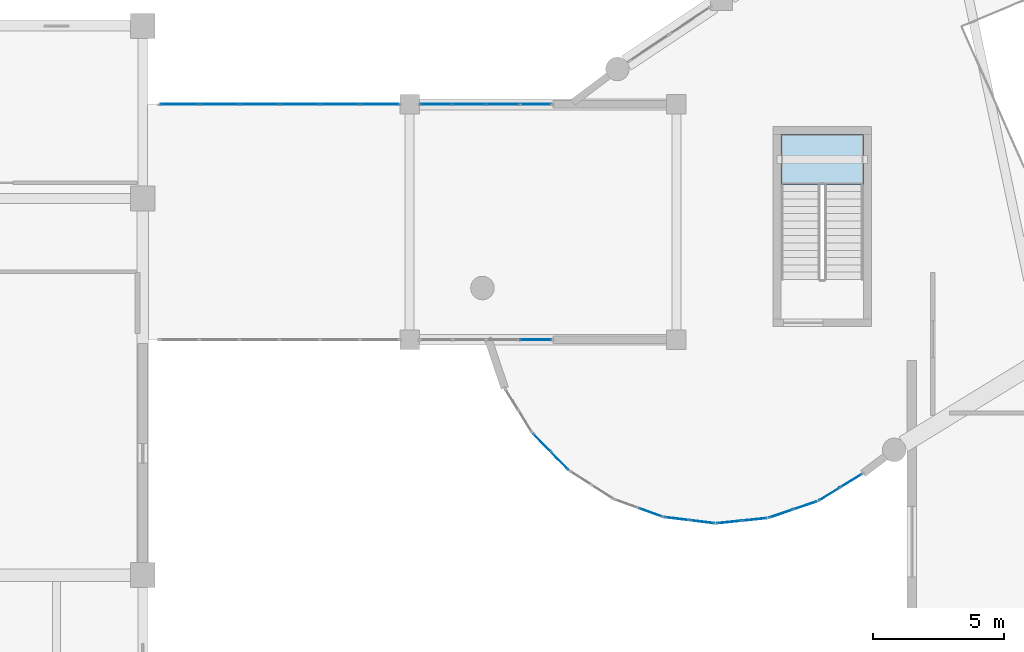
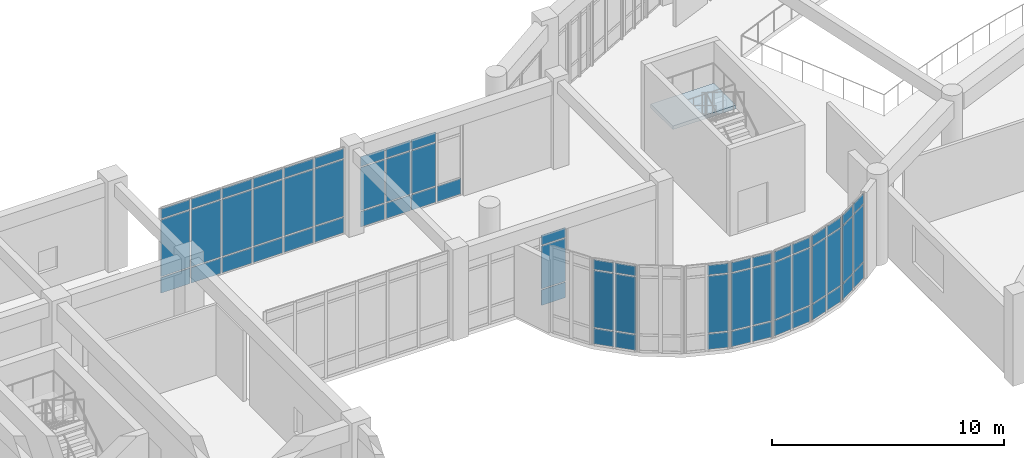
# One storey, part 39 of 68: 64 plates, 1 slab, 10 elements without a shape of their own.
"""IFC4 building model written with IfcOpenShell, lengths in metres."""

from ifc_helpers import new_model, si_unit, direction, frame, origin, origin_2d, place, context, subcontext, project, spatial, polyline, rectangle, outline, extrude, material, layer, layer_set, type_object, element, aggregate, save


model = new_model("IFC4")

# Units and contexts
model_context = context("Model", 3, precision=1e-05, world=origin(), true_north=direction((0.0, 1.0)))
body_context = subcontext(model_context, "Body", "Model", "MODEL_VIEW")
ifc_project = project(units=[si_unit("LENGTHUNIT", "METRE"), si_unit("AREAUNIT", "SQUARE_METRE"), si_unit("VOLUMEUNIT", "CUBIC_METRE"), si_unit("PLANEANGLEUNIT", "RADIAN"), si_unit("MASSUNIT", "GRAM", prefix="KILO")], contexts=[model_context])

# Site, building, storey
site_placement = place(None, origin())
site = spatial("IfcSite", under=ifc_project, at=site_placement, CompositionType="ELEMENT")
building_placement = place(site_placement, origin())
building = spatial("IfcBuilding", under=site, at=building_placement, Name="Miralva Faculty of Natural Sciences", CompositionType="ELEMENT")
storey_placement = place(building_placement, frame((0.0, 0.0, 5.39990234375)))
storey = spatial("IfcBuildingStorey", under=building, at=storey_placement, Name="L01", CompositionType="ELEMENT", Elevation=5.39990234375)

# Curtain wall, plates
ifc_material_1 = material(Name="Laminated solar-control glass", Category="glass")
ifc_layer_1 = layer(ifc_material_1, 0.179931640625, Name="CW-RND-L01")
ifc_layer_set_1 = layer_set([ifc_layer_1], Name="Laminated solar-control glass")
curtain_wall_type_1 = type_object("IfcCurtainWallType", Name="CW-RND-L01", PredefinedType="USERDEFINED", material=ifc_layer_set_1)
curtain_wall_1_placement = place(storey_placement, origin())
curtain_wall_1 = element("IfcCurtainWall", 1, at=curtain_wall_1_placement, inside=storey, type_object=curtain_wall_type_1, Name="Curtain wall CW-05 L01-47", ObjectType="UNITISED CURTAIN WALL", PredefinedType="USERDEFINED")
ifc_layer_2 = layer(ifc_material_1, 0.028076171875, Name="PNL-P01")
ifc_layer_set_2 = layer_set([ifc_layer_2], Name="Laminated solar-control glass")
plate_type = type_object("IfcPlateType", Name="PNL-P01", PredefinedType="CURTAIN_PANEL", material=ifc_layer_set_2)
plate_1_placement = place(storey_placement, frame((62.253662109375, 12.102294921875, 0.06005859375), z_axis=(0.0, 0.0, 1.0), x_axis=(0.851994617353, 0.523550543884, 0.0)))
plate_1 = element("IfcPlate", 2, at=plate_1_placement, type_object=plate_type, Name="CW-05 panel 1.1", PredefinedType="CURTAIN_PANEL", context=body_context, shape_type="SweptSolid", body=[
    extrude(rectangle(XDim=0.91259765625, YDim=0.028076171875, at=origin_2d()), origin(), (0.0, 0.0, 1.0), 0.81005859375),
])
plate_2_placement = place(storey_placement, frame((62.253662109375, 12.102294921875, 0.93017578125), z_axis=(0.0, 0.0, 1.0), x_axis=(0.851994617353, 0.523550543884, 0.0)))
plate_2 = element("IfcPlate", 3, at=plate_2_placement, type_object=plate_type, Name="CW-05 panel 1.2", PredefinedType="CURTAIN_PANEL", context=body_context, shape_type="SweptSolid", body=[
    extrude(rectangle(XDim=0.91259765625, YDim=0.028076171875, at=origin_2d()), origin(), (0.0, 0.0, 1.0), 2.989990234375),
])
plate_3_placement = place(storey_placement, frame((62.253662109375, 12.102294921875, 3.97998046875), z_axis=(0.0, 0.0, 1.0), x_axis=(0.851994617353, 0.523550543884, 0.0)))
plate_3 = element("IfcPlate", 4, at=plate_3_placement, type_object=plate_type, Name="CW-05 panel 1.3", PredefinedType="CURTAIN_PANEL", context=body_context, shape_type="SweptSolid", body=[
    extrude(rectangle(XDim=0.91259765625, YDim=0.028076171875, at=origin_2d()), origin(), (0.0, 0.0, 1.0), 0.510009765625),
])
plate_4_placement = place(storey_placement, frame((63.086669921875, 12.6142578125, 0.06005859375), z_axis=(0.0, 0.0, 1.0), x_axis=(0.851994617353, 0.523550543884, 0.0)))
plate_4 = element("IfcPlate", 5, at=plate_4_placement, type_object=plate_type, Name="CW-05 panel 2.1", PredefinedType="CURTAIN_PANEL", context=body_context, shape_type="SweptSolid", body=[
    extrude(rectangle(XDim=0.91259765625, YDim=0.028076171875, at=origin_2d()), origin(), (0.0, 0.0, 1.0), 0.81005859375),
])
plate_5_placement = place(storey_placement, frame((63.086669921875, 12.6142578125, 0.93017578125), z_axis=(0.0, 0.0, 1.0), x_axis=(0.851994617353, 0.523550543884, 0.0)))
plate_5 = element("IfcPlate", 6, at=plate_5_placement, type_object=plate_type, Name="CW-05 panel 2.2", PredefinedType="CURTAIN_PANEL", context=body_context, shape_type="SweptSolid", body=[
    extrude(rectangle(XDim=0.91259765625, YDim=0.028076171875, at=origin_2d()), origin(), (0.0, 0.0, 1.0), 2.989990234375),
])
plate_6_placement = place(storey_placement, frame((63.086669921875, 12.6142578125, 3.97998046875), z_axis=(0.0, 0.0, 1.0), x_axis=(0.851994617353, 0.523550543884, 0.0)))
plate_6 = element("IfcPlate", 7, at=plate_6_placement, type_object=plate_type, Name="CW-05 panel 2.3", PredefinedType="CURTAIN_PANEL", context=body_context, shape_type="SweptSolid", body=[
    extrude(rectangle(XDim=0.91259765625, YDim=0.028076171875, at=origin_2d()), origin(), (0.0, 0.0, 1.0), 0.510009765625),
])
aggregate(curtain_wall_1, [plate_1, plate_2, plate_3, plate_4, plate_5, plate_6])

curtain_wall_2_placement = place(storey_placement, origin())
curtain_wall_2 = element("IfcCurtainWall", 8, at=curtain_wall_2_placement, inside=storey, type_object=curtain_wall_type_1, Name="Curtain wall CW-05 L01-48", ObjectType="UNITISED CURTAIN WALL", PredefinedType="USERDEFINED")
plate_7_placement = place(storey_placement, frame((60.39453125, 11.349853515625, 0.06005859375), z_axis=(0.0, 0.0, 1.0), x_axis=(0.947132688672, 0.320842126361, 0.0)))
plate_7 = element("IfcPlate", 9, at=plate_7_placement, type_object=plate_type, Name="CW-05 panel 1.1", PredefinedType="CURTAIN_PANEL", context=body_context, shape_type="SweptSolid", body=[
    extrude(rectangle(XDim=0.91259765625, YDim=0.028076171875, at=origin_2d()), origin(), (0.0, 0.0, 1.0), 0.81005859375),
])
plate_8_placement = place(storey_placement, frame((60.39453125, 11.349853515625, 0.93017578125), z_axis=(0.0, 0.0, 1.0), x_axis=(0.947132688672, 0.320842126361, 0.0)))
plate_8 = element("IfcPlate", 10, at=plate_8_placement, type_object=plate_type, Name="CW-05 panel 1.2", PredefinedType="CURTAIN_PANEL", context=body_context, shape_type="SweptSolid", body=[
    extrude(rectangle(XDim=0.91259765625, YDim=0.028076171875, at=origin_2d()), origin(), (0.0, 0.0, 1.0), 2.989990234375),
])
plate_9_placement = place(storey_placement, frame((60.39453125, 11.349853515625, 3.97998046875), z_axis=(0.0, 0.0, 1.0), x_axis=(0.947132688672, 0.320842126361, 0.0)))
plate_9 = element("IfcPlate", 11, at=plate_9_placement, type_object=plate_type, Name="CW-05 panel 1.3", PredefinedType="CURTAIN_PANEL", context=body_context, shape_type="SweptSolid", body=[
    extrude(rectangle(XDim=0.91259765625, YDim=0.028076171875, at=origin_2d()), origin(), (0.0, 0.0, 1.0), 0.510009765625),
])
plate_10_placement = place(storey_placement, frame((61.3203125, 11.66357421875, 0.06005859375), z_axis=(0.0, 0.0, 1.0), x_axis=(0.947132688672, 0.320842126361, 0.0)))
plate_10 = element("IfcPlate", 12, at=plate_10_placement, type_object=plate_type, Name="CW-05 panel 2.1", PredefinedType="CURTAIN_PANEL", context=body_context, shape_type="SweptSolid", body=[
    extrude(rectangle(XDim=0.91259765625, YDim=0.028076171875, at=origin_2d()), origin(), (0.0, 0.0, 1.0), 0.81005859375),
])
plate_11_placement = place(storey_placement, frame((61.3203125, 11.66357421875, 0.93017578125), z_axis=(0.0, 0.0, 1.0), x_axis=(0.947132688672, 0.320842126361, 0.0)))
plate_11 = element("IfcPlate", 13, at=plate_11_placement, type_object=plate_type, Name="CW-05 panel 2.2", PredefinedType="CURTAIN_PANEL", context=body_context, shape_type="SweptSolid", body=[
    extrude(rectangle(XDim=0.91259765625, YDim=0.028076171875, at=origin_2d()), origin(), (0.0, 0.0, 1.0), 2.989990234375),
])
plate_12_placement = place(storey_placement, frame((61.3203125, 11.66357421875, 3.97998046875), z_axis=(0.0, 0.0, 1.0), x_axis=(0.947132688672, 0.320842126361, 0.0)))
plate_12 = element("IfcPlate", 14, at=plate_12_placement, type_object=plate_type, Name="CW-05 panel 2.3", PredefinedType="CURTAIN_PANEL", context=body_context, shape_type="SweptSolid", body=[
    extrude(rectangle(XDim=0.91259765625, YDim=0.028076171875, at=origin_2d()), origin(), (0.0, 0.0, 1.0), 0.510009765625),
])
aggregate(curtain_wall_2, [plate_7, plate_8, plate_9, plate_10, plate_11, plate_12])

curtain_wall_3_placement = place(storey_placement, origin())
curtain_wall_3 = element("IfcCurtainWall", 15, at=curtain_wall_3_placement, inside=storey, type_object=curtain_wall_type_1, Name="Curtain wall CW-05 L01-49", ObjectType="UNITISED CURTAIN WALL", PredefinedType="USERDEFINED")
plate_13_placement = place(storey_placement, frame((58.41455078125, 11.0302734375, 0.06005859375), z_axis=(0.0, 0.0, 1.0), x_axis=(0.994778604482, 0.102056494477, 0.0)))
plate_13 = element("IfcPlate", 16, at=plate_13_placement, type_object=plate_type, Name="CW-05 panel 1.1", PredefinedType="CURTAIN_PANEL", context=body_context, shape_type="SweptSolid", body=[
    extrude(rectangle(XDim=0.912841796875, YDim=0.028076171875, at=origin_2d()), origin(), (0.0, 0.0, 1.0), 0.81005859375),
])
plate_14_placement = place(storey_placement, frame((58.41455078125, 11.0302734375, 0.93017578125), z_axis=(0.0, 0.0, 1.0), x_axis=(0.994778604482, 0.102056494477, 0.0)))
plate_14 = element("IfcPlate", 17, at=plate_14_placement, type_object=plate_type, Name="CW-05 panel 1.2", PredefinedType="CURTAIN_PANEL", context=body_context, shape_type="SweptSolid", body=[
    extrude(rectangle(XDim=0.912841796875, YDim=0.028076171875, at=origin_2d()), origin(), (0.0, 0.0, 1.0), 2.989990234375),
])
plate_15_placement = place(storey_placement, frame((58.41455078125, 11.0302734375, 3.97998046875), z_axis=(0.0, 0.0, 1.0), x_axis=(0.994778604482, 0.102056494477, 0.0)))
plate_15 = element("IfcPlate", 18, at=plate_15_placement, type_object=plate_type, Name="CW-05 panel 1.3", PredefinedType="CURTAIN_PANEL", context=body_context, shape_type="SweptSolid", body=[
    extrude(rectangle(XDim=0.912841796875, YDim=0.028076171875, at=origin_2d()), origin(), (0.0, 0.0, 1.0), 0.510009765625),
])
plate_16_placement = place(storey_placement, frame((59.386962890625, 11.1298828125, 0.06005859375), z_axis=(0.0, 0.0, 1.0), x_axis=(0.994778604482, 0.102056494477, 0.0)))
plate_16 = element("IfcPlate", 19, at=plate_16_placement, type_object=plate_type, Name="CW-05 panel 2.1", PredefinedType="CURTAIN_PANEL", context=body_context, shape_type="SweptSolid", body=[
    extrude(rectangle(XDim=0.912841796875, YDim=0.028076171875, at=origin_2d()), origin(), (0.0, 0.0, 1.0), 0.81005859375),
])
plate_17_placement = place(storey_placement, frame((59.386962890625, 11.1298828125, 0.93017578125), z_axis=(0.0, 0.0, 1.0), x_axis=(0.994778604482, 0.102056494477, 0.0)))
plate_17 = element("IfcPlate", 20, at=plate_17_placement, type_object=plate_type, Name="CW-05 panel 2.2", PredefinedType="CURTAIN_PANEL", context=body_context, shape_type="SweptSolid", body=[
    extrude(rectangle(XDim=0.912841796875, YDim=0.028076171875, at=origin_2d()), origin(), (0.0, 0.0, 1.0), 2.989990234375),
])
plate_18_placement = place(storey_placement, frame((59.386962890625, 11.1298828125, 3.97998046875), z_axis=(0.0, 0.0, 1.0), x_axis=(0.994778604482, 0.102056494477, 0.0)))
plate_18 = element("IfcPlate", 21, at=plate_18_placement, type_object=plate_type, Name="CW-05 panel 2.3", PredefinedType="CURTAIN_PANEL", context=body_context, shape_type="SweptSolid", body=[
    extrude(rectangle(XDim=0.912841796875, YDim=0.028076171875, at=origin_2d()), origin(), (0.0, 0.0, 1.0), 0.510009765625),
])
aggregate(curtain_wall_3, [plate_13, plate_14, plate_15, plate_16, plate_17, plate_18])

curtain_wall_4_placement = place(storey_placement, origin())
curtain_wall_4 = element("IfcCurtainWall", 22, at=curtain_wall_4_placement, inside=storey, type_object=curtain_wall_type_1, Name="Curtain wall CW-05 L01-50", ObjectType="UNITISED CURTAIN WALL", PredefinedType="USERDEFINED")
plate_19_placement = place(storey_placement, frame((56.412841796875, 11.1591796875, 0.06005859375), z_axis=(0.0, 0.0, 1.0), x_axis=(0.99254734183, -0.121859649701, 0.0)))
plate_19 = element("IfcPlate", 23, at=plate_19_placement, type_object=plate_type, Name="CW-05 panel 1.1", PredefinedType="CURTAIN_PANEL", context=body_context, shape_type="SweptSolid", body=[
    extrude(rectangle(XDim=0.91259765625, YDim=0.028076171875, at=origin_2d()), origin(), (0.0, 0.0, 1.0), 0.81005859375),
])
plate_20_placement = place(storey_placement, frame((56.412841796875, 11.1591796875, 0.93017578125), z_axis=(0.0, 0.0, 1.0), x_axis=(0.99254734183, -0.121859649701, 0.0)))
plate_20 = element("IfcPlate", 24, at=plate_20_placement, type_object=plate_type, Name="CW-05 panel 1.2", PredefinedType="CURTAIN_PANEL", context=body_context, shape_type="SweptSolid", body=[
    extrude(rectangle(XDim=0.91259765625, YDim=0.028076171875, at=origin_2d()), origin(), (0.0, 0.0, 1.0), 2.989990234375),
])
plate_21_placement = place(storey_placement, frame((56.412841796875, 11.1591796875, 3.97998046875), z_axis=(0.0, 0.0, 1.0), x_axis=(0.99254734183, -0.121859649701, 0.0)))
plate_21 = element("IfcPlate", 25, at=plate_21_placement, type_object=plate_type, Name="CW-05 panel 1.3", PredefinedType="CURTAIN_PANEL", context=body_context, shape_type="SweptSolid", body=[
    extrude(rectangle(XDim=0.91259765625, YDim=0.028076171875, at=origin_2d()), origin(), (0.0, 0.0, 1.0), 0.510009765625),
])
plate_22_placement = place(storey_placement, frame((57.38330078125, 11.0400390625, 0.06005859375), z_axis=(0.0, 0.0, 1.0), x_axis=(0.99254734183, -0.121859649701, 0.0)))
plate_22 = element("IfcPlate", 26, at=plate_22_placement, type_object=plate_type, Name="CW-05 panel 2.1", PredefinedType="CURTAIN_PANEL", context=body_context, shape_type="SweptSolid", body=[
    extrude(rectangle(XDim=0.91259765625, YDim=0.028076171875, at=origin_2d()), origin(), (0.0, 0.0, 1.0), 0.81005859375),
])
plate_23_placement = place(storey_placement, frame((57.38330078125, 11.0400390625, 0.93017578125), z_axis=(0.0, 0.0, 1.0), x_axis=(0.99254734183, -0.121859649701, 0.0)))
plate_23 = element("IfcPlate", 27, at=plate_23_placement, type_object=plate_type, Name="CW-05 panel 2.2", PredefinedType="CURTAIN_PANEL", context=body_context, shape_type="SweptSolid", body=[
    extrude(rectangle(XDim=0.91259765625, YDim=0.028076171875, at=origin_2d()), origin(), (0.0, 0.0, 1.0), 2.989990234375),
])
plate_24_placement = place(storey_placement, frame((57.38330078125, 11.0400390625, 3.97998046875), z_axis=(0.0, 0.0, 1.0), x_axis=(0.99254734183, -0.121859649701, 0.0)))
plate_24 = element("IfcPlate", 28, at=plate_24_placement, type_object=plate_type, Name="CW-05 panel 2.3", PredefinedType="CURTAIN_PANEL", context=body_context, shape_type="SweptSolid", body=[
    extrude(rectangle(XDim=0.91259765625, YDim=0.028076171875, at=origin_2d()), origin(), (0.0, 0.0, 1.0), 0.510009765625),
])
aggregate(curtain_wall_4, [plate_19, plate_20, plate_21, plate_22, plate_23, plate_24])

curtain_wall_5_placement = place(storey_placement, origin())
curtain_wall_5 = element("IfcCurtainWall", 29, at=curtain_wall_5_placement, inside=storey, type_object=curtain_wall_type_1, Name="Curtain wall CW-05 L01-51", ObjectType="UNITISED CURTAIN WALL", PredefinedType="USERDEFINED")
plate_25_placement = place(storey_placement, frame((55.409912109375, 11.39794921875, 0.06005859375), z_axis=(0.0, 0.0, 1.0), x_axis=(0.940535451088, -0.339695547876, 0.0)))
plate_25 = element("IfcPlate", 30, at=plate_25_placement, type_object=plate_type, Name="CW-05 panel 2.1", PredefinedType="CURTAIN_PANEL", context=body_context, shape_type="SweptSolid", body=[
    extrude(rectangle(XDim=0.91259765625, YDim=0.028076171875, at=origin_2d()), origin(), (0.0, 0.0, 1.0), 0.81005859375),
])
plate_26_placement = place(storey_placement, frame((55.409912109375, 11.39794921875, 0.93017578125), z_axis=(0.0, 0.0, 1.0), x_axis=(0.940535451088, -0.339695547876, 0.0)))
plate_26 = element("IfcPlate", 31, at=plate_26_placement, type_object=plate_type, Name="CW-05 panel 2.2", PredefinedType="CURTAIN_PANEL", context=body_context, shape_type="SweptSolid", body=[
    extrude(rectangle(XDim=0.91259765625, YDim=0.028076171875, at=origin_2d()), origin(), (0.0, 0.0, 1.0), 2.989990234375),
])
plate_27_placement = place(storey_placement, frame((55.409912109375, 11.39794921875, 3.97998046875), z_axis=(0.0, 0.0, 1.0), x_axis=(0.940535451088, -0.339695547876, 0.0)))
plate_27 = element("IfcPlate", 32, at=plate_27_placement, type_object=plate_type, Name="CW-05 panel 2.3", PredefinedType="CURTAIN_PANEL", context=body_context, shape_type="SweptSolid", body=[
    extrude(rectangle(XDim=0.91259765625, YDim=0.028076171875, at=origin_2d()), origin(), (0.0, 0.0, 1.0), 0.510009765625),
])
aggregate(curtain_wall_5, [plate_25, plate_26, plate_27])

curtain_wall_6_placement = place(storey_placement, origin())
curtain_wall_6 = element("IfcCurtainWall", 33, at=curtain_wall_6_placement, inside=storey, type_object=curtain_wall_type_1, Name="Curtain wall CW-05 L01-53", ObjectType="UNITISED CURTAIN WALL", PredefinedType="USERDEFINED")
plate_28_placement = place(storey_placement, frame((51.258544921875, 14.063232421875, 0.06005859375), z_axis=(0.0, 0.0, 1.0), x_axis=(0.700018458929, -0.714124749017, 0.0)))
plate_28 = element("IfcPlate", 34, at=plate_28_placement, type_object=plate_type, Name="CW-05 panel 1.1", PredefinedType="CURTAIN_PANEL", context=body_context, shape_type="SweptSolid", body=[
    extrude(rectangle(XDim=0.91259765625, YDim=0.028076171875, at=origin_2d()), origin(), (0.0, 0.0, 1.0), 0.81005859375),
])
plate_29_placement = place(storey_placement, frame((51.258544921875, 14.063232421875, 0.93017578125), z_axis=(0.0, 0.0, 1.0), x_axis=(0.700018458929, -0.714124749017, 0.0)))
plate_29 = element("IfcPlate", 35, at=plate_29_placement, type_object=plate_type, Name="CW-05 panel 1.2", PredefinedType="CURTAIN_PANEL", context=body_context, shape_type="SweptSolid", body=[
    extrude(rectangle(XDim=0.91259765625, YDim=0.028076171875, at=origin_2d()), origin(), (0.0, 0.0, 1.0), 2.989990234375),
])
plate_30_placement = place(storey_placement, frame((51.258544921875, 14.063232421875, 3.97998046875), z_axis=(0.0, 0.0, 1.0), x_axis=(0.700018458929, -0.714124749017, 0.0)))
plate_30 = element("IfcPlate", 36, at=plate_30_placement, type_object=plate_type, Name="CW-05 panel 1.3", PredefinedType="CURTAIN_PANEL", context=body_context, shape_type="SweptSolid", body=[
    extrude(rectangle(XDim=0.91259765625, YDim=0.028076171875, at=origin_2d()), origin(), (0.0, 0.0, 1.0), 0.510009765625),
])
plate_31_placement = place(storey_placement, frame((51.94287109375, 13.364990234375, 0.06005859375), z_axis=(0.0, 0.0, 1.0), x_axis=(0.700018458929, -0.714124749017, 0.0)))
plate_31 = element("IfcPlate", 37, at=plate_31_placement, type_object=plate_type, Name="CW-05 panel 2.1", PredefinedType="CURTAIN_PANEL", context=body_context, shape_type="SweptSolid", body=[
    extrude(rectangle(XDim=0.91259765625, YDim=0.028076171875, at=origin_2d()), origin(), (0.0, 0.0, 1.0), 0.81005859375),
])
plate_32_placement = place(storey_placement, frame((51.94287109375, 13.364990234375, 0.93017578125), z_axis=(0.0, 0.0, 1.0), x_axis=(0.700018458929, -0.714124749017, 0.0)))
plate_32 = element("IfcPlate", 38, at=plate_32_placement, type_object=plate_type, Name="CW-05 panel 2.2", PredefinedType="CURTAIN_PANEL", context=body_context, shape_type="SweptSolid", body=[
    extrude(rectangle(XDim=0.91259765625, YDim=0.028076171875, at=origin_2d()), origin(), (0.0, 0.0, 1.0), 2.989990234375),
])
plate_33_placement = place(storey_placement, frame((51.94287109375, 13.364990234375, 3.97998046875), z_axis=(0.0, 0.0, 1.0), x_axis=(0.700018458929, -0.714124749017, 0.0)))
plate_33 = element("IfcPlate", 39, at=plate_33_placement, type_object=plate_type, Name="CW-05 panel 2.3", PredefinedType="CURTAIN_PANEL", context=body_context, shape_type="SweptSolid", body=[
    extrude(rectangle(XDim=0.91259765625, YDim=0.028076171875, at=origin_2d()), origin(), (0.0, 0.0, 1.0), 0.510009765625),
])
aggregate(curtain_wall_6, [plate_28, plate_29, plate_30, plate_31, plate_32, plate_33])

ifc_layer_3 = layer(ifc_material_1, 0.179931640625, Name="CW-COM-L01")
ifc_layer_set_3 = layer_set([ifc_layer_3], Name="Laminated solar-control glass")
curtain_wall_type_2 = type_object("IfcCurtainWallType", Name="CW-COM-L01", PredefinedType="USERDEFINED", material=ifc_layer_set_3)
curtain_wall_7_placement = place(storey_placement, origin())
curtain_wall_7 = element("IfcCurtainWall", 40, at=curtain_wall_7_placement, inside=storey, type_object=curtain_wall_type_2, Name="Curtain wall CW-10 L01-289", ObjectType="UNITISED CURTAIN WALL", PredefinedType="USERDEFINED")
plate_34_placement = place(storey_placement, frame((51.025634765625, 18.0, 0.06005859375), z_axis=(0.0, 0.0, 1.0), x_axis=(1.0, 0.0, 0.0)))
plate_34 = element("IfcPlate", 41, at=plate_34_placement, type_object=plate_type, Name="CW-10 panel 4.1", PredefinedType="CURTAIN_PANEL", context=body_context, shape_type="SweptSolid", body=[
    extrude(rectangle(XDim=1.188720703125, YDim=0.028076171875, at=origin_2d()), origin(), (0.0, 0.0, 1.0), 0.81005859375),
])
plate_35_placement = place(storey_placement, frame((51.025634765625, 18.0, 0.929931640625), z_axis=(0.0, 0.0, 1.0), x_axis=(1.0, 0.0, 0.0)))
plate_35 = element("IfcPlate", 42, at=plate_35_placement, type_object=plate_type, Name="CW-10 panel 4.2", PredefinedType="CURTAIN_PANEL", context=body_context, shape_type="SweptSolid", body=[
    extrude(rectangle(XDim=1.188720703125, YDim=0.028076171875, at=origin_2d()), origin(), (0.0, 0.0, 1.0), 2.2451171875),
])
plate_36_placement = place(storey_placement, frame((51.025634765625, 18.0, 3.23486328125), z_axis=(0.0, 0.0, 1.0), x_axis=(1.0, 0.0, 0.0)))
plate_36 = element("IfcPlate", 43, at=plate_36_placement, type_object=plate_type, Name="CW-10 panel 4.3", PredefinedType="CURTAIN_PANEL", context=body_context, shape_type="SweptSolid", body=[
    extrude(rectangle(XDim=1.188720703125, YDim=0.028076171875, at=origin_2d()), origin(), (0.0, 0.0, 1.0), 0.510009765625),
])
aggregate(curtain_wall_7, [plate_34, plate_35, plate_36])

curtain_wall_8_placement = place(storey_placement, origin())
curtain_wall_8 = element("IfcCurtainWall", 44, at=curtain_wall_8_placement, inside=storey, type_object=curtain_wall_type_2, Name="Curtain wall CW-10 L01-291", ObjectType="UNITISED CURTAIN WALL", PredefinedType="USERDEFINED")
plate_37_placement = place(storey_placement, frame((37.40380859375, 27.0, 0.06005859375), z_axis=(0.0, 0.0, 1.0), x_axis=(1.0, 0.0, 0.0)))
plate_37 = element("IfcPlate", 45, at=plate_37_placement, type_object=plate_type, Name="CW-10 panel 1.1", PredefinedType="CURTAIN_PANEL", context=body_context, shape_type="SweptSolid", body=[
    extrude(rectangle(XDim=1.447509765625, YDim=0.028076171875, at=origin_2d()), origin(), (0.0, 0.0, 1.0), 0.81005859375),
])
plate_38_placement = place(storey_placement, frame((37.40380859375, 27.0, 0.93017578125), z_axis=(0.0, 0.0, 1.0), x_axis=(1.0, 0.0, 0.0)))
plate_38 = element("IfcPlate", 46, at=plate_38_placement, type_object=plate_type, Name="CW-10 panel 1.2", PredefinedType="CURTAIN_PANEL", context=body_context, shape_type="SweptSolid", body=[
    extrude(rectangle(XDim=1.447509765625, YDim=0.028076171875, at=origin_2d()), origin(), (0.0, 0.0, 1.0), 2.989990234375),
])
plate_39_placement = place(storey_placement, frame((37.40380859375, 27.0, 3.97998046875), z_axis=(0.0, 0.0, 1.0), x_axis=(1.0, 0.0, 0.0)))
plate_39 = element("IfcPlate", 47, at=plate_39_placement, type_object=plate_type, Name="CW-10 panel 1.3", PredefinedType="CURTAIN_PANEL", context=body_context, shape_type="SweptSolid", body=[
    extrude(rectangle(XDim=1.447509765625, YDim=0.028076171875, at=origin_2d()), origin(), (0.0, 0.0, 1.0), 0.510009765625),
])
plate_40_placement = place(storey_placement, frame((38.92626953125, 27.0, 0.06005859375), z_axis=(0.0, 0.0, 1.0), x_axis=(1.0, 0.0, 0.0)))
plate_40 = element("IfcPlate", 48, at=plate_40_placement, type_object=plate_type, Name="CW-10 panel 2.1", PredefinedType="CURTAIN_PANEL", context=body_context, shape_type="SweptSolid", body=[
    extrude(rectangle(XDim=1.4775390625, YDim=0.028076171875, at=origin_2d()), origin(), (0.0, 0.0, 1.0), 0.81005859375),
])
plate_41_placement = place(storey_placement, frame((38.92626953125, 27.0, 0.93017578125), z_axis=(0.0, 0.0, 1.0), x_axis=(1.0, 0.0, 0.0)))
plate_41 = element("IfcPlate", 49, at=plate_41_placement, type_object=plate_type, Name="CW-10 panel 2.2", PredefinedType="CURTAIN_PANEL", context=body_context, shape_type="SweptSolid", body=[
    extrude(rectangle(XDim=1.4775390625, YDim=0.028076171875, at=origin_2d()), origin(), (0.0, 0.0, 1.0), 2.989990234375),
])
plate_42_placement = place(storey_placement, frame((38.92626953125, 27.0, 3.97998046875), z_axis=(0.0, 0.0, 1.0), x_axis=(1.0, 0.0, 0.0)))
plate_42 = element("IfcPlate", 50, at=plate_42_placement, type_object=plate_type, Name="CW-10 panel 2.3", PredefinedType="CURTAIN_PANEL", context=body_context, shape_type="SweptSolid", body=[
    extrude(rectangle(XDim=1.4775390625, YDim=0.028076171875, at=origin_2d()), origin(), (0.0, 0.0, 1.0), 0.510009765625),
])
plate_43_placement = place(storey_placement, frame((40.4638671875, 27.0, 0.06005859375), z_axis=(0.0, 0.0, 1.0), x_axis=(1.0, 0.0, 0.0)))
plate_43 = element("IfcPlate", 51, at=plate_43_placement, type_object=plate_type, Name="CW-10 panel 3.1", PredefinedType="CURTAIN_PANEL", context=body_context, shape_type="SweptSolid", body=[
    extrude(rectangle(XDim=1.4775390625, YDim=0.028076171875, at=origin_2d()), origin(), (0.0, 0.0, 1.0), 0.81005859375),
])
plate_44_placement = place(storey_placement, frame((40.4638671875, 27.0, 0.93017578125), z_axis=(0.0, 0.0, 1.0), x_axis=(1.0, 0.0, 0.0)))
plate_44 = element("IfcPlate", 52, at=plate_44_placement, type_object=plate_type, Name="CW-10 panel 3.2", PredefinedType="CURTAIN_PANEL", context=body_context, shape_type="SweptSolid", body=[
    extrude(rectangle(XDim=1.4775390625, YDim=0.028076171875, at=origin_2d()), origin(), (0.0, 0.0, 1.0), 2.989990234375),
])
plate_45_placement = place(storey_placement, frame((40.4638671875, 27.0, 3.97998046875), z_axis=(0.0, 0.0, 1.0), x_axis=(1.0, 0.0, 0.0)))
plate_45 = element("IfcPlate", 53, at=plate_45_placement, type_object=plate_type, Name="CW-10 panel 3.3", PredefinedType="CURTAIN_PANEL", context=body_context, shape_type="SweptSolid", body=[
    extrude(rectangle(XDim=1.4775390625, YDim=0.028076171875, at=origin_2d()), origin(), (0.0, 0.0, 1.0), 0.510009765625),
])
plate_46_placement = place(storey_placement, frame((42.001220703125, 27.0, 0.06005859375), z_axis=(0.0, 0.0, 1.0), x_axis=(1.0, 0.0, 0.0)))
plate_46 = element("IfcPlate", 54, at=plate_46_placement, type_object=plate_type, Name="CW-10 panel 4.1", PredefinedType="CURTAIN_PANEL", context=body_context, shape_type="SweptSolid", body=[
    extrude(rectangle(XDim=1.4775390625, YDim=0.028076171875, at=origin_2d()), origin(), (0.0, 0.0, 1.0), 0.81005859375),
])
plate_47_placement = place(storey_placement, frame((42.001220703125, 27.0, 0.93017578125), z_axis=(0.0, 0.0, 1.0), x_axis=(1.0, 0.0, 0.0)))
plate_47 = element("IfcPlate", 55, at=plate_47_placement, type_object=plate_type, Name="CW-10 panel 4.2", PredefinedType="CURTAIN_PANEL", context=body_context, shape_type="SweptSolid", body=[
    extrude(rectangle(XDim=1.4775390625, YDim=0.028076171875, at=origin_2d()), origin(), (0.0, 0.0, 1.0), 2.989990234375),
])
plate_48_placement = place(storey_placement, frame((42.001220703125, 27.0, 3.97998046875), z_axis=(0.0, 0.0, 1.0), x_axis=(1.0, 0.0, 0.0)))
plate_48 = element("IfcPlate", 56, at=plate_48_placement, type_object=plate_type, Name="CW-10 panel 4.3", PredefinedType="CURTAIN_PANEL", context=body_context, shape_type="SweptSolid", body=[
    extrude(rectangle(XDim=1.4775390625, YDim=0.028076171875, at=origin_2d()), origin(), (0.0, 0.0, 1.0), 0.510009765625),
])
plate_49_placement = place(storey_placement, frame((43.538818359375, 27.0, 0.06005859375), z_axis=(0.0, 0.0, 1.0), x_axis=(1.0, 0.0, 0.0)))
plate_49 = element("IfcPlate", 57, at=plate_49_placement, type_object=plate_type, Name="CW-10 panel 5.1", PredefinedType="CURTAIN_PANEL", context=body_context, shape_type="SweptSolid", body=[
    extrude(rectangle(XDim=1.4775390625, YDim=0.028076171875, at=origin_2d()), origin(), (0.0, 0.0, 1.0), 0.81005859375),
])
plate_50_placement = place(storey_placement, frame((43.538818359375, 27.0, 0.93017578125), z_axis=(0.0, 0.0, 1.0), x_axis=(1.0, 0.0, 0.0)))
plate_50 = element("IfcPlate", 58, at=plate_50_placement, type_object=plate_type, Name="CW-10 panel 5.2", PredefinedType="CURTAIN_PANEL", context=body_context, shape_type="SweptSolid", body=[
    extrude(rectangle(XDim=1.4775390625, YDim=0.028076171875, at=origin_2d()), origin(), (0.0, 0.0, 1.0), 2.989990234375),
])
plate_51_placement = place(storey_placement, frame((43.538818359375, 27.0, 3.97998046875), z_axis=(0.0, 0.0, 1.0), x_axis=(1.0, 0.0, 0.0)))
plate_51 = element("IfcPlate", 59, at=plate_51_placement, type_object=plate_type, Name="CW-10 panel 5.3", PredefinedType="CURTAIN_PANEL", context=body_context, shape_type="SweptSolid", body=[
    extrude(rectangle(XDim=1.4775390625, YDim=0.028076171875, at=origin_2d()), origin(), (0.0, 0.0, 1.0), 0.510009765625),
])
plate_52_placement = place(storey_placement, frame((45.061279296875, 27.0, 0.06005859375), z_axis=(0.0, 0.0, 1.0), x_axis=(1.0, 0.0, 0.0)))
plate_52 = element("IfcPlate", 60, at=plate_52_placement, type_object=plate_type, Name="CW-10 panel 6.1", PredefinedType="CURTAIN_PANEL", context=body_context, shape_type="SweptSolid", body=[
    extrude(rectangle(XDim=1.447509765625, YDim=0.028076171875, at=origin_2d()), origin(), (0.0, 0.0, 1.0), 0.81005859375),
])
plate_53_placement = place(storey_placement, frame((45.061279296875, 27.0, 0.93017578125), z_axis=(0.0, 0.0, 1.0), x_axis=(1.0, 0.0, 0.0)))
plate_53 = element("IfcPlate", 61, at=plate_53_placement, type_object=plate_type, Name="CW-10 panel 6.2", PredefinedType="CURTAIN_PANEL", context=body_context, shape_type="SweptSolid", body=[
    extrude(rectangle(XDim=1.447509765625, YDim=0.028076171875, at=origin_2d()), origin(), (0.0, 0.0, 1.0), 2.989990234375),
])
plate_54_placement = place(storey_placement, frame((45.061279296875, 27.0, 3.97998046875), z_axis=(0.0, 0.0, 1.0), x_axis=(1.0, 0.0, 0.0)))
plate_54 = element("IfcPlate", 62, at=plate_54_placement, type_object=plate_type, Name="CW-10 panel 6.3", PredefinedType="CURTAIN_PANEL", context=body_context, shape_type="SweptSolid", body=[
    extrude(rectangle(XDim=1.447509765625, YDim=0.028076171875, at=origin_2d()), origin(), (0.0, 0.0, 1.0), 0.510009765625),
])
aggregate(curtain_wall_8, [plate_37, plate_38, plate_39, plate_40, plate_41, plate_42, plate_43, plate_44, plate_45, plate_46, plate_47, plate_48, plate_49, plate_50, plate_51, plate_52, plate_53, plate_54])

curtain_wall_9_placement = place(storey_placement, origin())
curtain_wall_9 = element("IfcCurtainWall", 63, at=curtain_wall_9_placement, inside=storey, type_object=curtain_wall_type_2, Name="Curtain wall CW-10 L01-292", ObjectType="UNITISED CURTAIN WALL", PredefinedType="USERDEFINED")
plate_55_placement = place(storey_placement, frame((47.219482421875, 27.0, 0.06005859375), z_axis=(0.0, 0.0, 1.0), x_axis=(1.0, 0.0, 0.0)))
plate_55 = element("IfcPlate", 64, at=plate_55_placement, type_object=plate_type, Name="CW-10 panel 1.1", PredefinedType="CURTAIN_PANEL", context=body_context, shape_type="SweptSolid", body=[
    extrude(rectangle(XDim=1.188720703125, YDim=0.028076171875, at=origin_2d()), origin(), (0.0, 0.0, 1.0), 0.81005859375),
])
plate_56_placement = place(storey_placement, frame((47.219482421875, 27.0, 0.93017578125), z_axis=(0.0, 0.0, 1.0), x_axis=(1.0, 0.0, 0.0)))
plate_56 = element("IfcPlate", 65, at=plate_56_placement, type_object=plate_type, Name="CW-10 panel 1.2", PredefinedType="CURTAIN_PANEL", context=body_context, shape_type="SweptSolid", body=[
    extrude(rectangle(XDim=1.188720703125, YDim=0.028076171875, at=origin_2d()), origin(), (0.0, 0.0, 1.0), 2.2548828125),
])
plate_57_placement = place(storey_placement, frame((47.219482421875, 27.0, 3.2451171875), z_axis=(0.0, 0.0, 1.0), x_axis=(1.0, 0.0, 0.0)))
plate_57 = element("IfcPlate", 66, at=plate_57_placement, type_object=plate_type, Name="CW-10 panel 1.3", PredefinedType="CURTAIN_PANEL", context=body_context, shape_type="SweptSolid", body=[
    extrude(rectangle(XDim=1.188720703125, YDim=0.028076171875, at=origin_2d()), origin(), (0.0, 0.0, 1.0), 0.510009765625),
])
plate_58_placement = place(storey_placement, frame((48.483154296875, 27.0, 0.06005859375), z_axis=(0.0, 0.0, 1.0), x_axis=(1.0, 0.0, 0.0)))
plate_58 = element("IfcPlate", 67, at=plate_58_placement, type_object=plate_type, Name="CW-10 panel 2.1", PredefinedType="CURTAIN_PANEL", context=body_context, shape_type="SweptSolid", body=[
    extrude(rectangle(XDim=1.21875, YDim=0.028076171875, at=origin_2d()), origin(), (0.0, 0.0, 1.0), 0.81005859375),
])
plate_59_placement = place(storey_placement, frame((48.483154296875, 27.0, 0.93017578125), z_axis=(0.0, 0.0, 1.0), x_axis=(1.0, 0.0, 0.0)))
plate_59 = element("IfcPlate", 68, at=plate_59_placement, type_object=plate_type, Name="CW-10 panel 2.2", PredefinedType="CURTAIN_PANEL", context=body_context, shape_type="SweptSolid", body=[
    extrude(rectangle(XDim=1.21875, YDim=0.028076171875, at=origin_2d()), origin(), (0.0, 0.0, 1.0), 2.2548828125),
])
plate_60_placement = place(storey_placement, frame((48.483154296875, 27.0, 3.2451171875), z_axis=(0.0, 0.0, 1.0), x_axis=(1.0, 0.0, 0.0)))
plate_60 = element("IfcPlate", 69, at=plate_60_placement, type_object=plate_type, Name="CW-10 panel 2.3", PredefinedType="CURTAIN_PANEL", context=body_context, shape_type="SweptSolid", body=[
    extrude(rectangle(XDim=1.21875, YDim=0.028076171875, at=origin_2d()), origin(), (0.0, 0.0, 1.0), 0.510009765625),
])
plate_61_placement = place(storey_placement, frame((49.761962890625, 27.0, 0.06005859375), z_axis=(0.0, 0.0, 1.0), x_axis=(1.0, 0.0, 0.0)))
plate_61 = element("IfcPlate", 70, at=plate_61_placement, type_object=plate_type, Name="CW-10 panel 3.1", PredefinedType="CURTAIN_PANEL", context=body_context, shape_type="SweptSolid", body=[
    extrude(rectangle(XDim=1.21875, YDim=0.028076171875, at=origin_2d()), origin(), (0.0, 0.0, 1.0), 0.81005859375),
])
plate_62_placement = place(storey_placement, frame((49.761962890625, 27.0, 0.93017578125), z_axis=(0.0, 0.0, 1.0), x_axis=(1.0, 0.0, 0.0)))
plate_62 = element("IfcPlate", 71, at=plate_62_placement, type_object=plate_type, Name="CW-10 panel 3.2", PredefinedType="CURTAIN_PANEL", context=body_context, shape_type="SweptSolid", body=[
    extrude(rectangle(XDim=1.21875, YDim=0.028076171875, at=origin_2d()), origin(), (0.0, 0.0, 1.0), 2.2548828125),
])
plate_63_placement = place(storey_placement, frame((49.761962890625, 27.0, 3.2451171875), z_axis=(0.0, 0.0, 1.0), x_axis=(1.0, 0.0, 0.0)))
plate_63 = element("IfcPlate", 72, at=plate_63_placement, type_object=plate_type, Name="CW-10 panel 3.3", PredefinedType="CURTAIN_PANEL", context=body_context, shape_type="SweptSolid", body=[
    extrude(rectangle(XDim=1.21875, YDim=0.028076171875, at=origin_2d()), origin(), (0.0, 0.0, 1.0), 0.510009765625),
])
plate_64_placement = place(storey_placement, frame((51.025634765625, 27.0, 0.06005859375), z_axis=(0.0, 0.0, 1.0), x_axis=(1.0, 0.0, 0.0)))
plate_64 = element("IfcPlate", 73, at=plate_64_placement, type_object=plate_type, Name="CW-10 panel 4.1", PredefinedType="CURTAIN_PANEL", context=body_context, shape_type="SweptSolid", body=[
    extrude(rectangle(XDim=1.188720703125, YDim=0.028076171875, at=origin_2d()), origin(), (0.0, 0.0, 1.0), 0.81005859375),
])
aggregate(curtain_wall_9, [plate_55, plate_56, plate_57, plate_58, plate_59, plate_60, plate_61, plate_62, plate_63, plate_64])

# Stair, slab
ifc_material_2 = material(Name="Concrete C40/50", Category="concrete")
stair_type = type_object("IfcStairType", Name="ST-CORE-480", PredefinedType="HALF_TURN_STAIR", material=ifc_material_2)
stair_placement = place(storey_placement, origin())
stair = element("IfcStair", 74, at=stair_placement, inside=storey, type_object=stair_type, Name="Exit Stair Core C6 (ST-02) L01", PredefinedType="HALF_TURN_STAIR")
ifc_layer_4 = layer(ifc_material_2, 0.18994140625, Name="SL-LD01")
ifc_layer_set_4 = layer_set([ifc_layer_4], Name="Concrete C40/50")
slab_type = type_object("IfcSlabType", Name="SL-LD01", PredefinedType="LANDING", material=ifc_layer_set_4)
slab_placement = place(storey_placement, frame((0.0, 0.0, 2.210205078125)))
slab = element("IfcSlab", 75, at=slab_placement, type_object=slab_type, Name="ST-02 landing 1", PredefinedType="LANDING", context=body_context, shape_type="SweptSolid", body=[
    extrude(outline(polyline([(63.550048828125, 23.93994140625), (63.550048828125, 25.85009765625), (60.39990234375, 25.85009765625), (60.39990234375, 23.93994140625), (63.550048828125, 23.93994140625)])), origin(), (0.0, 0.0, 1.0), 0.18994140625),
])
aggregate(stair, [slab])

save(model, "model.ifc")
